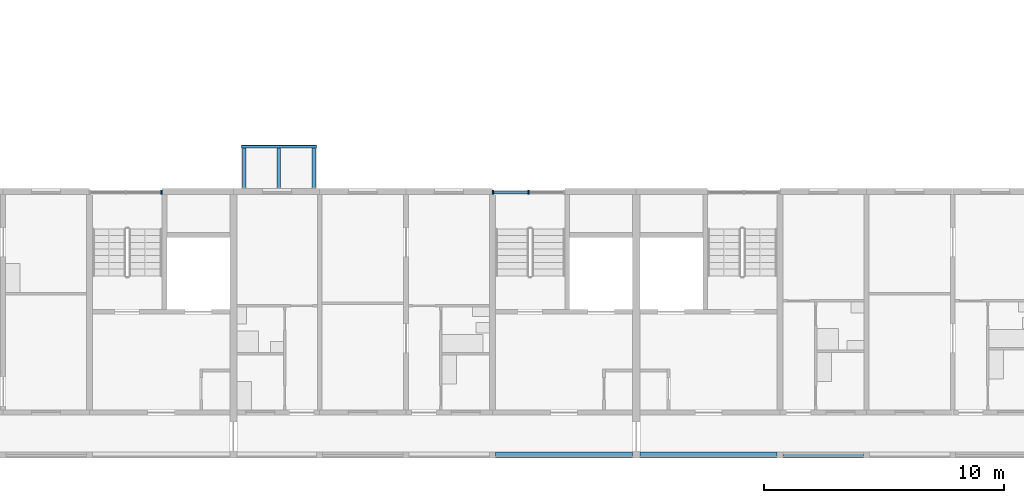
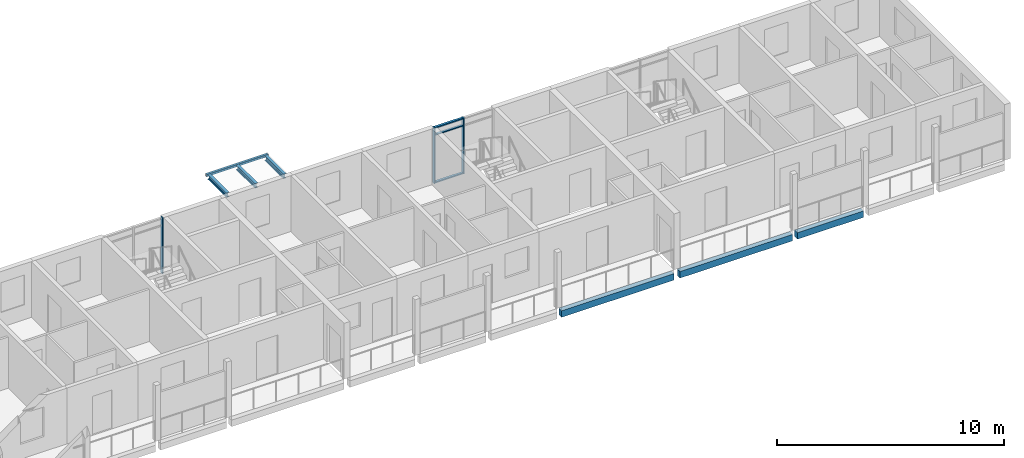
# One storey, part 9 of 87: 7 beams, 6 members, 2 elements without a shape of their own.
"""IFC4 building model written with IfcOpenShell, lengths in metres."""

from ifc_helpers import new_model, si_unit, direction, frame, origin, origin_2d, place, context, subcontext, project, spatial, rectangle, hollow_rectangle, i_section, extrude, material, material_profile, profile_set, type_object, element, aggregate, save


model = new_model("IFC4")

# Units and contexts
model_context = context("Model", 3, precision=1e-05, world=origin(), true_north=direction((0.0, 1.0)))
body_context = subcontext(model_context, "Body", "Model", "MODEL_VIEW")
ifc_project = project(units=[si_unit("LENGTHUNIT", "METRE"), si_unit("AREAUNIT", "SQUARE_METRE"), si_unit("VOLUMEUNIT", "CUBIC_METRE"), si_unit("PLANEANGLEUNIT", "RADIAN"), si_unit("MASSUNIT", "GRAM", prefix="KILO")], contexts=[model_context])

# Site, building, storey
site_placement = place(None, origin())
site = spatial("IfcSite", under=ifc_project, at=site_placement, CompositionType="ELEMENT")
building_placement = place(site_placement, origin())
building = spatial("IfcBuilding", under=site, at=building_placement, Name="Ridgestep Commons", CompositionType="ELEMENT")
storey_placement = place(building_placement, frame((0.0, 0.0, 27.0)))
storey = spatial("IfcBuildingStorey", under=building, at=storey_placement, Name="L09", CompositionType="ELEMENT", Elevation=27.0)

# Beams
ifc_material_1 = material(Name="Precast concrete C40/50", Category="concrete")
ifc_material_profile_1 = material_profile(ifc_material_1, rectangle(XDim=0.25, YDim=0.35009765625, at=origin_2d()), Name="PC 250x350")
ifc_profile_set_1 = profile_set([ifc_material_profile_1], Name="Precast concrete C40/50")
beam_type_1 = type_object("IfcBeamType", Name="Loggia edge beam 250 x 350", PredefinedType="SPANDREL", material=ifc_profile_set_1)
for number, where, z_axis, x_axis, name in (
    (1, (90.125, 11.875, -0.375), (1.0, 0.0, 0.0), (0.0, 1.0, 0.0), "Loggia edge beam A5C L09"),
    (2, (96.14990234375, 11.875, -0.375), (1.0, 0.0, 0.0), (0.0, 1.0, 0.0), "Loggia edge beam A6C L09"),
):
    element("IfcBeam", number, at=place(storey_placement, frame(where, z_axis=z_axis, x_axis=x_axis)), inside=storey, type_object=beam_type_1, Name=name, PredefinedType="SPANDREL", context=body_context, shape_type="SweptSolid", body=[
        extrude(rectangle(XDim=0.25, YDim=0.35009765625, at=origin_2d()), origin(), (0.0, 0.0, 1.0), 5.72509765625),
    ])
beam_1_placement = place(storey_placement, frame((102.125, 11.875, -0.375), z_axis=(1.0, 0.0, 0.0), x_axis=(0.0, 1.0, 0.0)))
element("IfcBeam", 3, at=beam_1_placement, inside=storey, type_object=beam_type_1, Name="Loggia edge beam A6T3 L09", PredefinedType="SPANDREL", context=body_context, shape_type="SweptSolid", body=[
    extrude(rectangle(XDim=0.25, YDim=0.35009765625, at=origin_2d()), origin(), (0.0, 0.0, 1.0), 3.35009765625),
])

# Curtain wall, member
ifc_material_2 = material(Name="Aluminium 6063-T6 and glass", Category="aluminium")
curtain_wall_type = type_object("IfcCurtainWallType", Name="Curtain wall stair strip", PredefinedType="NOTDEFINED", material=ifc_material_2)
curtain_wall_1_placement = place(storey_placement, origin())
curtain_wall_1 = element("IfcCurtainWall", 4, at=curtain_wall_1_placement, inside=storey, type_object=curtain_wall_type, Name="Curtain wall A4C level 09", PredefinedType="NOTDEFINED")
ifc_material_3 = material(Name="Aluminium 6063-T6", Category="aluminium")
ifc_material_profile_2 = material_profile(ifc_material_3, rectangle(XDim=0.159912109375, YDim=0.06005859375, at=origin_2d()), Name="Mullion 60 x 160")
ifc_profile_set_2 = profile_set([ifc_material_profile_2], Name="Aluminium 6063-T6")
member_type_1 = type_object("IfcMemberType", Name="Mullion 60 x 160", PredefinedType="MULLION", material=ifc_profile_set_2)
member_1_placement = place(storey_placement, frame((76.195068359375, 22.830078125, 0.0), z_axis=(0.0, 0.0, 1.0), x_axis=(0.0, 1.0, 0.0)))
member_1 = element("IfcMember", 5, at=member_1_placement, type_object=member_type_1, Name="CW1 mullion 3", PredefinedType="MULLION", context=body_context, shape_type="SweptSolid", body=[
    extrude(rectangle(XDim=0.159912109375, YDim=0.06005859375, at=origin_2d()), origin(), (0.0, 0.0, 1.0), 3.0),
])
aggregate(curtain_wall_1, [member_1])

# Curtain wall, members
curtain_wall_2_placement = place(storey_placement, origin())
curtain_wall_2 = element("IfcCurtainWall", 6, at=curtain_wall_2_placement, inside=storey, type_object=curtain_wall_type, Name="Curtain wall A5C level 09", PredefinedType="NOTDEFINED")
member_2_placement = place(storey_placement, frame((90.030029296875, 22.830078125, 0.0), z_axis=(0.0, 0.0, 1.0), x_axis=(0.0, 1.0, 0.0)))
member_2 = element("IfcMember", 7, at=member_2_placement, type_object=member_type_1, Name="CW1 mullion 1", PredefinedType="MULLION", context=body_context, shape_type="SweptSolid", body=[
    extrude(rectangle(XDim=0.159912109375, YDim=0.06005859375, at=origin_2d()), origin(), (0.0, 0.0, 1.0), 3.0),
])
member_3_placement = place(storey_placement, frame((91.512451171875, 22.830078125, 0.0), z_axis=(0.0, 0.0, 1.0), x_axis=(0.0, 1.0, 0.0)))
member_3 = element("IfcMember", 8, at=member_3_placement, type_object=member_type_1, Name="CW1 mullion 2", PredefinedType="MULLION", context=body_context, shape_type="SweptSolid", body=[
    extrude(rectangle(XDim=0.159912109375, YDim=0.06005859375, at=origin_2d()), origin(), (0.0, 0.0, 1.0), 3.0),
])
ifc_material_4 = material(Name="Aluminium 6063-T6", Category="aluminium")
ifc_material_profile_3 = material_profile(ifc_material_4, rectangle(XDim=0.1201171875, YDim=0.06005859375, at=origin_2d()), Name="Transom 60 x 120")
ifc_profile_set_3 = profile_set([ifc_material_profile_3], Name="Aluminium 6063-T6")
member_type_2 = type_object("IfcMemberType", Name="Transom 60 x 120", PredefinedType="USERDEFINED", material=ifc_profile_set_3)
member_4_placement = place(storey_placement, frame((90.06005859375, 22.830078125, 0.030029296875), z_axis=(1.0, 0.0, 0.0), x_axis=(0.0, 1.0, 0.0)))
member_4 = element("IfcMember", 9, at=member_4_placement, type_object=member_type_2, Name="CW1 transom 1.1", ObjectType="TRANSOM", PredefinedType="USERDEFINED", context=body_context, shape_type="SweptSolid", body=[
    extrude(rectangle(XDim=0.1201171875, YDim=0.06005859375, at=origin_2d()), origin(), (0.0, 0.0, 1.0), 1.42236328125),
])
member_5_placement = place(storey_placement, frame((90.06005859375, 22.830078125, 2.590087890625), z_axis=(1.0, 0.0, 0.0), x_axis=(0.0, 1.0, 0.0)))
member_5 = element("IfcMember", 10, at=member_5_placement, type_object=member_type_2, Name="CW1 transom 1.2", ObjectType="TRANSOM", PredefinedType="USERDEFINED", context=body_context, shape_type="SweptSolid", body=[
    extrude(rectangle(XDim=0.1201171875, YDim=0.06005859375, at=origin_2d()), origin(), (0.0, 0.0, 1.0), 1.42236328125),
])
member_6_placement = place(storey_placement, frame((90.06005859375, 22.830078125, 2.969970703125), z_axis=(1.0, 0.0, 0.0), x_axis=(0.0, 1.0, 0.0)))
member_6 = element("IfcMember", 11, at=member_6_placement, type_object=member_type_2, Name="CW1 transom 1.3", ObjectType="TRANSOM", PredefinedType="USERDEFINED", context=body_context, shape_type="SweptSolid", body=[
    extrude(rectangle(XDim=0.1201171875, YDim=0.06005859375, at=origin_2d()), origin(), (0.0, 0.0, 1.0), 1.42236328125),
])
aggregate(curtain_wall_2, [member_2, member_3, member_4, member_5, member_6])

# Beams
ifc_material_5 = material(Name="Weathering steel S355J2W", Category="steel")
ifc_material_profile_4 = material_profile(ifc_material_5, i_section(OverallWidth=0.14599609375, OverallDepth=0.25146484375, WebThickness=0.006103515625, FlangeThickness=0.008544921875, FilletRadius=0.007568359375, at=origin_2d()), Name="UB 254x146x31")
ifc_profile_set_4 = profile_set([ifc_material_profile_4], Name="Weathering steel S355J2W")
beam_type_2 = type_object("IfcBeamType", Name="Tray arm UB 254x146x31", PredefinedType="BEAM", material=ifc_profile_set_4)
for number, where, z_axis, x_axis, name in (
    (12, (79.64990234375, 23.014892578125, 2.8642578125), (0.0, 1.0, 0.0), (-1.0, 0.0, 0.0), "Tray arm A5T1-10.1"),
    (13, (81.10009765625, 23.014892578125, 2.8642578125), (0.0, 1.0, 0.0), (-1.0, 0.0, 0.0), "Tray arm A5T1-10.2"),
    (14, (82.550048828125, 23.014892578125, 2.8642578125), (0.0, 1.0, 0.0), (-1.0, 0.0, 0.0), "Tray arm A5T1-10.3"),
):
    element("IfcBeam", number, at=place(storey_placement, frame(where, z_axis=z_axis, x_axis=x_axis)), inside=storey, type_object=beam_type_2, Name=name, PredefinedType="BEAM", context=body_context, shape_type="SweptSolid", body=[
        extrude(i_section(OverallWidth=0.14599609375, OverallDepth=0.25146484375, WebThickness=0.006103515625, FlangeThickness=0.008544921875, FilletRadius=0.007568359375, at=origin_2d()), origin(), (0.0, 0.0, 1.0), 1.6650390625),
    ])
ifc_material_6 = material(Name="Weathering steel S355J2W", Category="steel")
ifc_material_profile_5 = material_profile(ifc_material_6, hollow_rectangle(XDim=0.1201171875, YDim=0.1201171875, WallThickness=0.00634765625, InnerFilletRadius=0.00634765625, OuterFilletRadius=0.009521484375, at=origin_2d()), Name="SHS 120x120x6.3")
ifc_profile_set_5 = profile_set([ifc_material_profile_5], Name="Weathering steel S355J2W")
beam_type_3 = type_object("IfcBeamType", Name="Tray edge member SHS 120x120x6.3", PredefinedType="BEAM", material=ifc_profile_set_5)
beam_2_placement = place(storey_placement, frame((79.530029296875, 24.739990234375, 2.929931640625), z_axis=(1.0, 0.0, 0.0), x_axis=(0.0, 0.0, 1.0)))
element("IfcBeam", 15, at=beam_2_placement, inside=storey, type_object=beam_type_3, Name="Tray edge member A5T1-10", PredefinedType="BEAM", context=body_context, shape_type="SweptSolid", body=[
    extrude(hollow_rectangle(XDim=0.1201171875, YDim=0.1201171875, WallThickness=0.00634765625, InnerFilletRadius=0.00634765625, OuterFilletRadius=0.009521484375, at=origin_2d()), origin(), (0.0, 0.0, 1.0), 3.139892578125),
])

save(model, "model.ifc")
